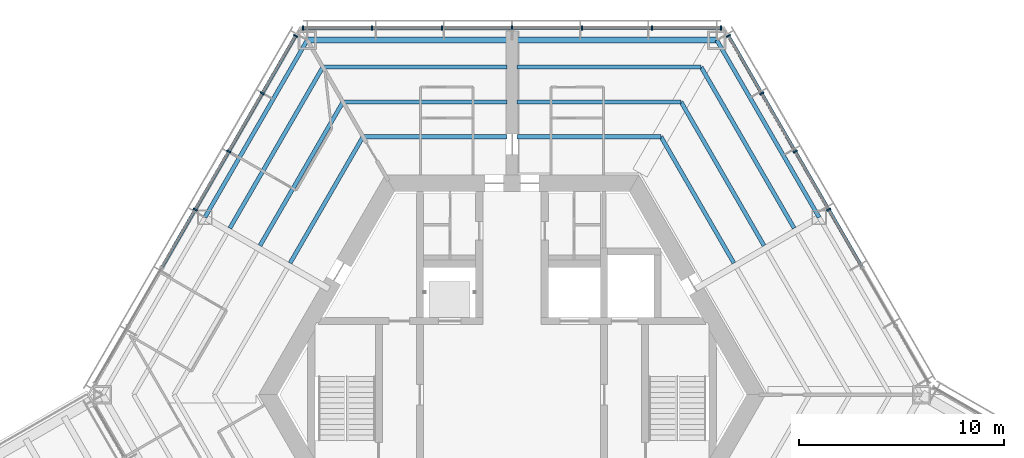
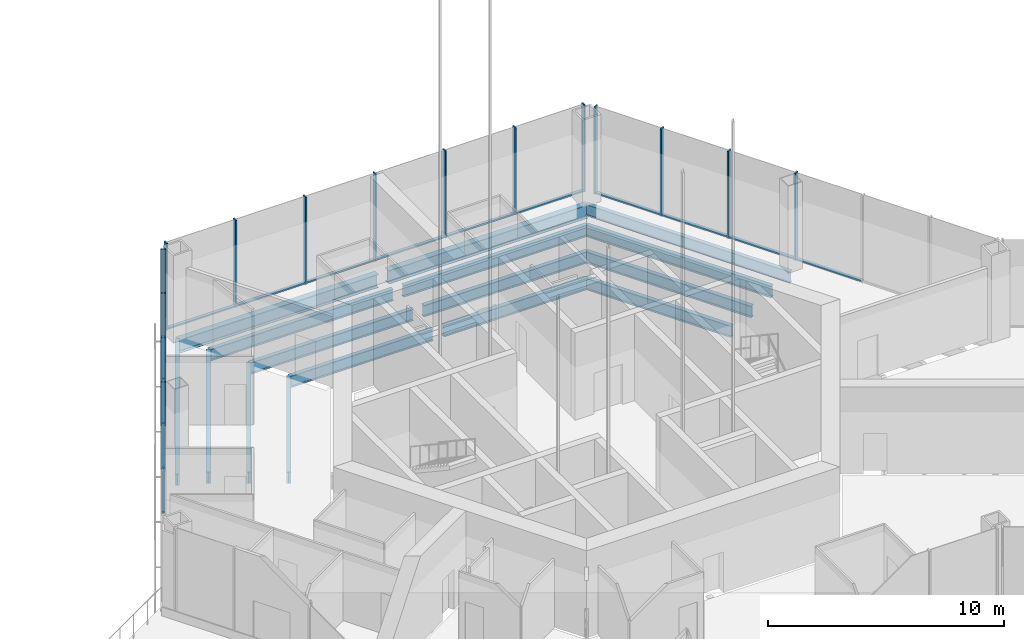
# One storey, part 5 of 17: 29 members, 16 beams, 3 elements without a shape of their own.
"""IFC4 building model written with IfcOpenShell, lengths in metres."""

from ifc_helpers import new_model, si_unit, direction, frame, origin, origin_2d, place, context, subcontext, project, spatial, rectangle, i_section, extrude, material, material_profile, profile_set, type_object, element, aggregate, save


model = new_model("IFC4")

# Units and contexts
model_context = context("Model", 3, precision=1e-05, world=origin(), true_north=direction((0.0, 1.0)))
body_context = subcontext(model_context, "Body", "Model", "MODEL_VIEW")
ifc_project = project(units=[si_unit("LENGTHUNIT", "METRE"), si_unit("AREAUNIT", "SQUARE_METRE"), si_unit("VOLUMEUNIT", "CUBIC_METRE"), si_unit("PLANEANGLEUNIT", "RADIAN"), si_unit("MASSUNIT", "GRAM", prefix="KILO")], contexts=[model_context])

# Site, building, storey
site_placement = place(None, origin())
site = spatial("IfcSite", under=ifc_project, at=site_placement, CompositionType="ELEMENT")
building_placement = place(site_placement, origin())
building = spatial("IfcBuilding", under=site, at=building_placement, Name="Kasaneha Research Tower", CompositionType="ELEMENT")
storey_placement = place(building_placement, frame((0.0, 0.0, 208.300048828125)))
storey = spatial("IfcBuildingStorey", under=building, at=storey_placement, Name="L52", CompositionType="ELEMENT", Elevation=208.300048828125)

# Beams
ifc_material_1 = material(Name="Steel SN490B", Category="steel")
ifc_material_profile_1 = material_profile(ifc_material_1, i_section(OverallWidth=0.199951171875, OverallDepth=0.60009765625, WebThickness=0.010986328125, FlangeThickness=0.01708984375, FilletRadius=0.012939453125, at=origin_2d()), Name="H-600x200x11x17")
ifc_profile_set_1 = profile_set([ifc_material_profile_1], Name="Steel SN490B")
beam_type_1 = type_object("IfcBeamType", Name="B1-4 secondary beam H-600x200x11x17", PredefinedType="JOIST", material=ifc_profile_set_1)
beam_1_placement = place(storey_placement, frame((7.274658203125, 12.60009765625, -0.5), z_axis=(0.499990404686, -0.866030943571, 0.0), x_axis=(0.866030943571, 0.499990404686, 0.0)))
element("IfcBeam", 1, at=beam_1_placement, inside=storey, type_object=beam_type_1, Name="Secondary beam RS030R1 L52", PredefinedType="JOIST", context=body_context, shape_type="SweptSolid", body=[
    extrude(i_section(OverallWidth=0.199951171875, OverallDepth=0.60009765625, WebThickness=0.010986328125, FlangeThickness=0.01708984375, FilletRadius=0.012939453125, at=origin_2d()), origin(), (0.0, 0.0, 1.0), 7.124755859375),
])
beam_2_placement = place(storey_placement, frame((8.256103515625, 14.300048828125, -0.5), z_axis=(0.499984030215, -0.866034623748, 0.0), x_axis=(0.866034623748, 0.499984030215, 0.0)))
element("IfcBeam", 2, at=beam_2_placement, inside=storey, type_object=beam_type_1, Name="Secondary beam RS030R2 L52", PredefinedType="JOIST", context=body_context, shape_type="SweptSolid", body=[
    extrude(i_section(OverallWidth=0.199951171875, OverallDepth=0.60009765625, WebThickness=0.010986328125, FlangeThickness=0.01708984375, FilletRadius=0.012939453125, at=origin_2d()), origin(), (0.0, 0.0, 1.0), 8.106201171875),
])
beam_3_placement = place(storey_placement, frame((9.237548828125, 16.0, -0.5), z_axis=(0.500010814234, -0.866019160093, 0.0), x_axis=(0.866019160093, 0.500010814234, 0.0)))
element("IfcBeam", 3, at=beam_3_placement, inside=storey, type_object=beam_type_1, Name="Secondary beam RS030R3 L52", PredefinedType="JOIST", context=body_context, shape_type="SweptSolid", body=[
    extrude(i_section(OverallWidth=0.199951171875, OverallDepth=0.60009765625, WebThickness=0.010986328125, FlangeThickness=0.01708984375, FilletRadius=0.012939453125, at=origin_2d()), origin(), (0.0, 0.0, 1.0), 9.087646484375),
])
beam_4_placement = place(storey_placement, frame((7.274658203125, 12.60009765625, -0.5), z_axis=(-1.0, 0.0, 0.0), x_axis=(0.0, -1.0, 0.0)))
element("IfcBeam", 4, at=beam_4_placement, inside=storey, type_object=beam_type_1, Name="Secondary beam RS090L1 L52", PredefinedType="JOIST", context=body_context, shape_type="SweptSolid", body=[
    extrude(i_section(OverallWidth=0.199951171875, OverallDepth=0.60009765625, WebThickness=0.010986328125, FlangeThickness=0.01708984375, FilletRadius=0.012939453125, at=origin_2d()), origin(), (0.0, 0.0, 1.0), 7.024658203125),
])
beam_5_placement = place(storey_placement, frame((8.256103515625, 14.300048828125, -0.5), z_axis=(-1.0, 0.0, 0.0), x_axis=(0.0, -1.0, 0.0)))
element("IfcBeam", 5, at=beam_5_placement, inside=storey, type_object=beam_type_1, Name="Secondary beam RS090L2 L52", PredefinedType="JOIST", context=body_context, shape_type="SweptSolid", body=[
    extrude(i_section(OverallWidth=0.199951171875, OverallDepth=0.60009765625, WebThickness=0.010986328125, FlangeThickness=0.01708984375, FilletRadius=0.012939453125, at=origin_2d()), origin(), (0.0, 0.0, 1.0), 8.006103515625),
])
beam_6_placement = place(storey_placement, frame((9.237548828125, 16.0, -0.5), z_axis=(-1.0, 0.0, 0.0), x_axis=(0.0, -1.0, 0.0)))
element("IfcBeam", 6, at=beam_6_placement, inside=storey, type_object=beam_type_1, Name="Secondary beam RS090L3 L52", PredefinedType="JOIST", context=body_context, shape_type="SweptSolid", body=[
    extrude(i_section(OverallWidth=0.199951171875, OverallDepth=0.60009765625, WebThickness=0.010986328125, FlangeThickness=0.01708984375, FilletRadius=0.012939453125, at=origin_2d()), origin(), (0.0, 0.0, 1.0), 8.987548828125),
])
beam_7_placement = place(storey_placement, frame((-7.274658203125, 12.60009765625, -0.5), z_axis=(1.0, 0.0, 0.0), x_axis=(0.0, 1.0, 0.0)))
element("IfcBeam", 7, at=beam_7_placement, inside=storey, type_object=beam_type_1, Name="Secondary beam RS090R1 L52", PredefinedType="JOIST", context=body_context, shape_type="SweptSolid", body=[
    extrude(i_section(OverallWidth=0.199951171875, OverallDepth=0.60009765625, WebThickness=0.010986328125, FlangeThickness=0.01708984375, FilletRadius=0.012939453125, at=origin_2d()), origin(), (0.0, 0.0, 1.0), 7.024658203125),
])
beam_8_placement = place(storey_placement, frame((-8.256103515625, 14.300048828125, -0.5), z_axis=(1.0, 0.0, 0.0), x_axis=(0.0, 1.0, 0.0)))
element("IfcBeam", 8, at=beam_8_placement, inside=storey, type_object=beam_type_1, Name="Secondary beam RS090R2 L52", PredefinedType="JOIST", context=body_context, shape_type="SweptSolid", body=[
    extrude(i_section(OverallWidth=0.199951171875, OverallDepth=0.60009765625, WebThickness=0.010986328125, FlangeThickness=0.01708984375, FilletRadius=0.012939453125, at=origin_2d()), origin(), (0.0, 0.0, 1.0), 8.006103515625),
])
beam_9_placement = place(storey_placement, frame((-9.237548828125, 16.0, -0.5), z_axis=(1.0, 0.0, 0.0), x_axis=(0.0, 1.0, 0.0)))
element("IfcBeam", 9, at=beam_9_placement, inside=storey, type_object=beam_type_1, Name="Secondary beam RS090R3 L52", PredefinedType="JOIST", context=body_context, shape_type="SweptSolid", body=[
    extrude(i_section(OverallWidth=0.199951171875, OverallDepth=0.60009765625, WebThickness=0.010986328125, FlangeThickness=0.01708984375, FilletRadius=0.012939453125, at=origin_2d()), origin(), (0.0, 0.0, 1.0), 8.987548828125),
])
beam_10_placement = place(storey_placement, frame((-7.274658203125, 12.60009765625, -0.5), z_axis=(-0.499990404686, -0.866030943571, 0.0), x_axis=(0.866030943571, -0.499990404686, 0.0)))
element("IfcBeam", 10, at=beam_10_placement, inside=storey, type_object=beam_type_1, Name="Secondary beam RS150L1 L52", PredefinedType="JOIST", context=body_context, shape_type="SweptSolid", body=[
    extrude(i_section(OverallWidth=0.199951171875, OverallDepth=0.60009765625, WebThickness=0.010986328125, FlangeThickness=0.01708984375, FilletRadius=0.012939453125, at=origin_2d()), origin(), (0.0, 0.0, 1.0), 7.124755859375),
])
beam_11_placement = place(storey_placement, frame((-8.256103515625, 14.300048828125, -0.5), z_axis=(-0.499984030215, -0.866034623748, 0.0), x_axis=(0.866034623748, -0.499984030215, 0.0)))
element("IfcBeam", 11, at=beam_11_placement, inside=storey, type_object=beam_type_1, Name="Secondary beam RS150L2 L52", PredefinedType="JOIST", context=body_context, shape_type="SweptSolid", body=[
    extrude(i_section(OverallWidth=0.199951171875, OverallDepth=0.60009765625, WebThickness=0.010986328125, FlangeThickness=0.01708984375, FilletRadius=0.012939453125, at=origin_2d()), origin(), (0.0, 0.0, 1.0), 8.106201171875),
])
beam_12_placement = place(storey_placement, frame((-9.237548828125, 16.0, -0.5), z_axis=(-0.500010814234, -0.866019160093, 0.0), x_axis=(0.866019160093, -0.500010814234, 0.0)))
element("IfcBeam", 12, at=beam_12_placement, inside=storey, type_object=beam_type_1, Name="Secondary beam RS150L3 L52", PredefinedType="JOIST", context=body_context, shape_type="SweptSolid", body=[
    extrude(i_section(OverallWidth=0.199951171875, OverallDepth=0.60009765625, WebThickness=0.010986328125, FlangeThickness=0.01708984375, FilletRadius=0.012939453125, at=origin_2d()), origin(), (0.0, 0.0, 1.0), 9.087646484375),
])

# Curtain wall, members
ifc_material_2 = material(Name="Glass and aluminium", Category="aluminium")
curtain_wall_type = type_object("IfcCurtainWallType", Name="Sky lobby curtain wall", PredefinedType="USERDEFINED", material=ifc_material_2)
curtain_wall_1_placement = place(storey_placement, origin())
curtain_wall_1 = element("IfcCurtainWall", 13, at=curtain_wall_1_placement, inside=storey, type_object=curtain_wall_type, Name="CW-S L52 run 01a", ObjectType="UNITISED CURTAIN WALL", PredefinedType="USERDEFINED")
ifc_material_3 = material(Name="Aluminium 6063-T6", Category="aluminium")
ifc_material_profile_2 = material_profile(ifc_material_3, rectangle(XDim=0.070068359375, YDim=0.219970703125, at=origin_2d()), Name="CW-S mullion 70x220")
ifc_profile_set_2 = profile_set([ifc_material_profile_2], Name="Aluminium 6063-T6")
member_type_1 = type_object("IfcMemberType", Name="CW-S mullion", PredefinedType="MULLION", material=ifc_profile_set_2)
member_1_placement = place(storey_placement, frame((15.47216796875, 9.042236328125, 0.0), z_axis=(0.0, 0.0, 1.0), x_axis=(-0.499999979232, 0.866025415775, 0.0)))
member_1 = element("IfcMember", 14, at=member_1_placement, type_object=member_type_1, Name="CW-S mullion 4", PredefinedType="MULLION", context=body_context, shape_type="SweptSolid", body=[
    extrude(rectangle(XDim=0.070068359375, YDim=0.219970703125, at=origin_2d()), origin(), (0.0, 0.0, 1.0), 4.5),
])
member_2_placement = place(storey_placement, frame((13.833251953125, 11.881103515625, 0.0), z_axis=(0.0, 0.0, 1.0), x_axis=(-0.499999979232, 0.866025415775, 0.0)))
member_2 = element("IfcMember", 15, at=member_2_placement, type_object=member_type_1, Name="CW-S mullion 5", PredefinedType="MULLION", context=body_context, shape_type="SweptSolid", body=[
    extrude(rectangle(XDim=0.070068359375, YDim=0.219970703125, at=origin_2d()), origin(), (0.0, 0.0, 1.0), 4.5),
])
member_3_placement = place(storey_placement, frame((12.1943359375, 14.719970703125, 0.0), z_axis=(0.0, 0.0, 1.0), x_axis=(-0.499999979232, 0.866025415775, 0.0)))
member_3 = element("IfcMember", 16, at=member_3_placement, type_object=member_type_1, Name="CW-S mullion 6", PredefinedType="MULLION", context=body_context, shape_type="SweptSolid", body=[
    extrude(rectangle(XDim=0.070068359375, YDim=0.219970703125, at=origin_2d()), origin(), (0.0, 0.0, 1.0), 4.5),
])
member_4_placement = place(storey_placement, frame((10.57275390625, 17.528564453125, 0.0), z_axis=(0.0, 0.0, 1.0), x_axis=(-0.499999979232, 0.866025415775, 0.0)))
member_4 = element("IfcMember", 17, at=member_4_placement, type_object=member_type_1, Name="CW-S mullion 7", PredefinedType="MULLION", context=body_context, shape_type="SweptSolid", body=[
    extrude(rectangle(XDim=0.070068359375, YDim=0.219970703125, at=origin_2d()), origin(), (0.0, 0.0, 1.0), 4.5),
])

curtain_wall_2_placement = place(storey_placement, origin())
curtain_wall_2 = element("IfcCurtainWall", 18, at=curtain_wall_2_placement, inside=storey, type_object=curtain_wall_type, Name="CW-S L52 run 02a", ObjectType="UNITISED CURTAIN WALL", PredefinedType="USERDEFINED")
member_5_placement = place(storey_placement, frame((10.21142578125, 17.92041015625, 0.0), z_axis=(0.0, 0.0, 1.0), x_axis=(-1.0, 0.0, 0.0)))
member_5 = element("IfcMember", 19, at=member_5_placement, type_object=member_type_1, Name="CW-S mullion 1", PredefinedType="MULLION", context=body_context, shape_type="SweptSolid", body=[
    extrude(rectangle(XDim=0.070068359375, YDim=0.219970703125, at=origin_2d()), origin(), (0.0, 0.0, 1.0), 4.5),
])
member_6_placement = place(storey_placement, frame((6.8310546875, 17.92041015625, 0.0), z_axis=(0.0, 0.0, 1.0), x_axis=(-1.0, 0.0, 0.0)))
member_6 = element("IfcMember", 20, at=member_6_placement, type_object=member_type_1, Name="CW-S mullion 2", PredefinedType="MULLION", context=body_context, shape_type="SweptSolid", body=[
    extrude(rectangle(XDim=0.070068359375, YDim=0.219970703125, at=origin_2d()), origin(), (0.0, 0.0, 1.0), 4.5),
])
member_7_placement = place(storey_placement, frame((3.41552734375, 17.92041015625, 0.0), z_axis=(0.0, 0.0, 1.0), x_axis=(-1.0, 0.0, 0.0)))
member_7 = element("IfcMember", 21, at=member_7_placement, type_object=member_type_1, Name="CW-S mullion 3", PredefinedType="MULLION", context=body_context, shape_type="SweptSolid", body=[
    extrude(rectangle(XDim=0.070068359375, YDim=0.219970703125, at=origin_2d()), origin(), (0.0, 0.0, 1.0), 4.5),
])
member_8_placement = place(storey_placement, frame((0.0, 17.92041015625, 0.0), z_axis=(0.0, 0.0, 1.0), x_axis=(-1.0, 0.0, 0.0)))
member_8 = element("IfcMember", 22, at=member_8_placement, type_object=member_type_1, Name="CW-S mullion 4", PredefinedType="MULLION", context=body_context, shape_type="SweptSolid", body=[
    extrude(rectangle(XDim=0.070068359375, YDim=0.219970703125, at=origin_2d()), origin(), (0.0, 0.0, 1.0), 4.5),
])
member_9_placement = place(storey_placement, frame((-3.41552734375, 17.92041015625, 0.0), z_axis=(0.0, 0.0, 1.0), x_axis=(-1.0, 0.0, 0.0)))
member_9 = element("IfcMember", 23, at=member_9_placement, type_object=member_type_1, Name="CW-S mullion 5", PredefinedType="MULLION", context=body_context, shape_type="SweptSolid", body=[
    extrude(rectangle(XDim=0.070068359375, YDim=0.219970703125, at=origin_2d()), origin(), (0.0, 0.0, 1.0), 4.5),
])
member_10_placement = place(storey_placement, frame((-6.8310546875, 17.92041015625, 0.0), z_axis=(0.0, 0.0, 1.0), x_axis=(-1.0, 0.0, 0.0)))
member_10 = element("IfcMember", 24, at=member_10_placement, type_object=member_type_1, Name="CW-S mullion 6", PredefinedType="MULLION", context=body_context, shape_type="SweptSolid", body=[
    extrude(rectangle(XDim=0.070068359375, YDim=0.219970703125, at=origin_2d()), origin(), (0.0, 0.0, 1.0), 4.5),
])
member_11_placement = place(storey_placement, frame((-10.21142578125, 17.92041015625, 0.0), z_axis=(0.0, 0.0, 1.0), x_axis=(-1.0, 0.0, 0.0)))
member_11 = element("IfcMember", 25, at=member_11_placement, type_object=member_type_1, Name="CW-S mullion 7", PredefinedType="MULLION", context=body_context, shape_type="SweptSolid", body=[
    extrude(rectangle(XDim=0.070068359375, YDim=0.219970703125, at=origin_2d()), origin(), (0.0, 0.0, 1.0), 4.5),
])

curtain_wall_3_placement = place(storey_placement, origin())
curtain_wall_3 = element("IfcCurtainWall", 26, at=curtain_wall_3_placement, inside=storey, type_object=curtain_wall_type, Name="CW-S L52 run 03a", ObjectType="UNITISED CURTAIN WALL", PredefinedType="USERDEFINED")
member_12_placement = place(storey_placement, frame((-10.57275390625, 17.528564453125, 0.0), z_axis=(0.0, 0.0, 1.0), x_axis=(-0.499999995722, -0.866025406254, 0.0)))
member_12 = element("IfcMember", 27, at=member_12_placement, type_object=member_type_1, Name="CW-S mullion 1", PredefinedType="MULLION", context=body_context, shape_type="SweptSolid", body=[
    extrude(rectangle(XDim=0.070068359375, YDim=0.219970703125, at=origin_2d()), origin(), (0.0, 0.0, 1.0), 4.5),
])
member_13_placement = place(storey_placement, frame((-12.194580078125, 14.71923828125, 0.0), z_axis=(0.0, 0.0, 1.0), x_axis=(-0.499999995722, -0.866025406254, 0.0)))
member_13 = element("IfcMember", 28, at=member_13_placement, type_object=member_type_1, Name="CW-S mullion 2", PredefinedType="MULLION", context=body_context, shape_type="SweptSolid", body=[
    extrude(rectangle(XDim=0.070068359375, YDim=0.219970703125, at=origin_2d()), origin(), (0.0, 0.0, 1.0), 4.5),
])
member_14_placement = place(storey_placement, frame((-13.833984375, 11.8798828125, 0.0), z_axis=(0.0, 0.0, 1.0), x_axis=(-0.499999995722, -0.866025406254, 0.0)))
member_14 = element("IfcMember", 29, at=member_14_placement, type_object=member_type_1, Name="CW-S mullion 3", PredefinedType="MULLION", context=body_context, shape_type="SweptSolid", body=[
    extrude(rectangle(XDim=0.070068359375, YDim=0.219970703125, at=origin_2d()), origin(), (0.0, 0.0, 1.0), 4.5),
])
member_15_placement = place(storey_placement, frame((-15.47314453125, 9.04052734375, 0.0), z_axis=(0.0, 0.0, 1.0), x_axis=(-0.499999995722, -0.866025406254, 0.0)))
member_15 = element("IfcMember", 30, at=member_15_placement, type_object=member_type_1, Name="CW-S mullion 4", PredefinedType="MULLION", context=body_context, shape_type="SweptSolid", body=[
    extrude(rectangle(XDim=0.070068359375, YDim=0.219970703125, at=origin_2d()), origin(), (0.0, 0.0, 1.0), 4.5),
])

# Member
ifc_material_4 = material(Name="Aluminium 6063-T6", Category="aluminium")
ifc_material_profile_3 = material_profile(ifc_material_4, rectangle(XDim=0.159912109375, YDim=0.070068359375, at=origin_2d()), Name="CW-S transom 160x70")
ifc_profile_set_3 = profile_set([ifc_material_profile_3], Name="Aluminium 6063-T6")
member_type_2 = type_object("IfcMemberType", Name="CW-S transom", PredefinedType="USERDEFINED", material=ifc_profile_set_3)
member_16_placement = place(storey_placement, frame((17.09375, 6.23388671875, 0.034912109375), z_axis=(-0.500018909665, 0.866014486009, 0.0), x_axis=(-0.866014486009, -0.500018909665, 0.0)))
member_16 = element("IfcMember", 31, at=member_16_placement, type_object=member_type_2, Name="CW-S transom 3", ObjectType="TRANSOM", PredefinedType="USERDEFINED", context=body_context, shape_type="SweptSolid", body=[
    extrude(rectangle(XDim=0.159912109375, YDim=0.070068359375, at=origin_2d()), origin(), (0.0, 0.0, 1.0), 3.2080078125),
])

member_17_placement = place(storey_placement, frame((15.454833984375, 9.072509765625, 0.034912109375), z_axis=(-0.499985955615, 0.866033512162, 0.0), x_axis=(-0.866033512162, -0.499985955615, 0.0)))
member_17 = element("IfcMember", 32, at=member_17_placement, type_object=member_type_2, Name="CW-S transom 4", ObjectType="TRANSOM", PredefinedType="USERDEFINED", context=body_context, shape_type="SweptSolid", body=[
    extrude(rectangle(XDim=0.159912109375, YDim=0.070068359375, at=origin_2d()), origin(), (0.0, 0.0, 1.0), 3.2080078125),
])

member_18_placement = place(storey_placement, frame((13.815673828125, 11.911376953125, 0.034912109375), z_axis=(-0.499985955615, 0.866033512162, 0.0), x_axis=(-0.866033512162, -0.499985955615, 0.0)))
member_18 = element("IfcMember", 33, at=member_18_placement, type_object=member_type_2, Name="CW-S transom 5", ObjectType="TRANSOM", PredefinedType="USERDEFINED", context=body_context, shape_type="SweptSolid", body=[
    extrude(rectangle(XDim=0.159912109375, YDim=0.070068359375, at=origin_2d()), origin(), (0.0, 0.0, 1.0), 3.2080078125),
])

member_19_placement = place(storey_placement, frame((12.1767578125, 14.750244140625, 0.034912109375), z_axis=(-0.499995540215, 0.866027978627, 0.0), x_axis=(-0.866027978627, -0.499995540215, 0.0)))
member_19 = element("IfcMember", 34, at=member_19_placement, type_object=member_type_2, Name="CW-S transom 6", ObjectType="TRANSOM", PredefinedType="USERDEFINED", context=body_context, shape_type="SweptSolid", body=[
    extrude(rectangle(XDim=0.159912109375, YDim=0.070068359375, at=origin_2d()), origin(), (0.0, 0.0, 1.0), 3.1728515625),
])

aggregate(curtain_wall_1, [member_1, member_2, member_3, member_4, member_16, member_17, member_18, member_19])

member_20_placement = place(storey_placement, frame((10.176513671875, 17.92041015625, 0.034912109375), z_axis=(-1.0, 0.0, 0.0), x_axis=(0.0, -1.0, 0.0)))
member_20 = element("IfcMember", 35, at=member_20_placement, type_object=member_type_2, Name="CW-S transom 1", ObjectType="TRANSOM", PredefinedType="USERDEFINED", context=body_context, shape_type="SweptSolid", body=[
    extrude(rectangle(XDim=0.159912109375, YDim=0.070068359375, at=origin_2d()), origin(), (0.0, 0.0, 1.0), 3.310546875),
])

member_21_placement = place(storey_placement, frame((6.7958984375, 17.92041015625, 0.034912109375), z_axis=(-1.0, 0.0, 0.0), x_axis=(0.0, -1.0, 0.0)))
member_21 = element("IfcMember", 36, at=member_21_placement, type_object=member_type_2, Name="CW-S transom 2", ObjectType="TRANSOM", PredefinedType="USERDEFINED", context=body_context, shape_type="SweptSolid", body=[
    extrude(rectangle(XDim=0.159912109375, YDim=0.070068359375, at=origin_2d()), origin(), (0.0, 0.0, 1.0), 3.345458984375),
])

member_22_placement = place(storey_placement, frame((3.38037109375, 17.92041015625, 0.034912109375), z_axis=(-1.0, 0.0, 0.0), x_axis=(0.0, -1.0, 0.0)))
member_22 = element("IfcMember", 37, at=member_22_placement, type_object=member_type_2, Name="CW-S transom 3", ObjectType="TRANSOM", PredefinedType="USERDEFINED", context=body_context, shape_type="SweptSolid", body=[
    extrude(rectangle(XDim=0.159912109375, YDim=0.070068359375, at=origin_2d()), origin(), (0.0, 0.0, 1.0), 3.345458984375),
])

member_23_placement = place(storey_placement, frame((-0.034912109375, 17.92041015625, 0.034912109375), z_axis=(-1.0, 0.0, 0.0), x_axis=(0.0, -1.0, 0.0)))
member_23 = element("IfcMember", 38, at=member_23_placement, type_object=member_type_2, Name="CW-S transom 4", ObjectType="TRANSOM", PredefinedType="USERDEFINED", context=body_context, shape_type="SweptSolid", body=[
    extrude(rectangle(XDim=0.159912109375, YDim=0.070068359375, at=origin_2d()), origin(), (0.0, 0.0, 1.0), 3.345458984375),
])

member_24_placement = place(storey_placement, frame((-3.450439453125, 17.92041015625, 0.034912109375), z_axis=(-1.0, 0.0, 0.0), x_axis=(0.0, -1.0, 0.0)))
member_24 = element("IfcMember", 39, at=member_24_placement, type_object=member_type_2, Name="CW-S transom 5", ObjectType="TRANSOM", PredefinedType="USERDEFINED", context=body_context, shape_type="SweptSolid", body=[
    extrude(rectangle(XDim=0.159912109375, YDim=0.070068359375, at=origin_2d()), origin(), (0.0, 0.0, 1.0), 3.345458984375),
])

member_25_placement = place(storey_placement, frame((-6.865966796875, 17.92041015625, 0.034912109375), z_axis=(-1.0, 0.0, 0.0), x_axis=(0.0, -1.0, 0.0)))
member_25 = element("IfcMember", 40, at=member_25_placement, type_object=member_type_2, Name="CW-S transom 6", ObjectType="TRANSOM", PredefinedType="USERDEFINED", context=body_context, shape_type="SweptSolid", body=[
    extrude(rectangle(XDim=0.159912109375, YDim=0.070068359375, at=origin_2d()), origin(), (0.0, 0.0, 1.0), 3.310546875),
])

aggregate(curtain_wall_2, [member_5, member_6, member_7, member_8, member_9, member_10, member_11, member_20, member_21, member_22, member_23, member_24, member_25])

member_26_placement = place(storey_placement, frame((-10.59033203125, 17.498046875, 0.034912109375), z_axis=(-0.499986614762, -0.866033131617, 0.0), x_axis=(0.866033131617, -0.499986614762, 0.0)))
member_26 = element("IfcMember", 41, at=member_26_placement, type_object=member_type_2, Name="CW-S transom 1", ObjectType="TRANSOM", PredefinedType="USERDEFINED", context=body_context, shape_type="SweptSolid", body=[
    extrude(rectangle(XDim=0.159912109375, YDim=0.070068359375, at=origin_2d()), origin(), (0.0, 0.0, 1.0), 3.17333984375),
])

member_27_placement = place(storey_placement, frame((-12.212158203125, 14.68896484375, 0.034912109375), z_axis=(-0.4999771297, -0.866038607556, 0.0), x_axis=(0.866038607556, -0.4999771297, 0.0)))
member_27 = element("IfcMember", 42, at=member_27_placement, type_object=member_type_2, Name="CW-S transom 2", ObjectType="TRANSOM", PredefinedType="USERDEFINED", context=body_context, shape_type="SweptSolid", body=[
    extrude(rectangle(XDim=0.159912109375, YDim=0.070068359375, at=origin_2d()), origin(), (0.0, 0.0, 1.0), 3.208740234375),
])

member_28_placement = place(storey_placement, frame((-13.851318359375, 11.849609375, 0.034912109375), z_axis=(-0.500034194513, -0.866005660673, 0.0), x_axis=(0.866005660673, -0.500034194513, 0.0)))
member_28 = element("IfcMember", 43, at=member_28_placement, type_object=member_type_2, Name="CW-S transom 3", ObjectType="TRANSOM", PredefinedType="USERDEFINED", context=body_context, shape_type="SweptSolid", body=[
    extrude(rectangle(XDim=0.159912109375, YDim=0.070068359375, at=origin_2d()), origin(), (0.0, 0.0, 1.0), 3.208740234375),
])

member_29_placement = place(storey_placement, frame((-15.49072265625, 9.01025390625, 0.034912109375), z_axis=(-0.500034194513, -0.866005660673, 0.0), x_axis=(0.866005660673, -0.500034194513, 0.0)))
member_29 = element("IfcMember", 44, at=member_29_placement, type_object=member_type_2, Name="CW-S transom 4", ObjectType="TRANSOM", PredefinedType="USERDEFINED", context=body_context, shape_type="SweptSolid", body=[
    extrude(rectangle(XDim=0.159912109375, YDim=0.070068359375, at=origin_2d()), origin(), (0.0, 0.0, 1.0), 3.208740234375),
])

aggregate(curtain_wall_3, [member_12, member_13, member_14, member_15, member_26, member_27, member_28, member_29])

# Beams
ifc_material_5 = material(Name="Steel SN490B", Category="steel")
ifc_material_profile_4 = material_profile(ifc_material_5, i_section(OverallWidth=0.300048828125, OverallDepth=0.69189453125, WebThickness=0.012939453125, FlangeThickness=0.02001953125, FilletRadius=0.01806640625, at=origin_2d()), Name="H-692x300x13x20")
ifc_profile_set_4 = profile_set([ifc_material_profile_4], Name="Steel SN490B")
beam_type_2 = type_object("IfcBeamType", Name="G3-4 plate edge girder H-692x300x13x20", PredefinedType="BEAM", material=ifc_profile_set_4)
for number, where, z_axis, x_axis, name in (
    (45, (10.0, 17.320556640625, -0.546142578125), (-1.0, 0.0, 0.0), (0.0, -1.0, 0.0), "Plate edge girder PEAP L52"),
    (46, (-10.0, 17.320556640625, -0.546142578125), (1.0, 0.0, 0.0), (0.0, 1.0, 0.0), "Plate edge girder PEAN L52"),
):
    element("IfcBeam", number, at=place(storey_placement, frame(where, z_axis=z_axis, x_axis=x_axis)), inside=storey, type_object=beam_type_2, Name=name, PredefinedType="BEAM", context=body_context, shape_type="SweptSolid", body=[
        extrude(i_section(OverallWidth=0.300048828125, OverallDepth=0.69189453125, WebThickness=0.012939453125, FlangeThickness=0.02001953125, FilletRadius=0.01806640625, at=origin_2d()), origin(), (0.0, 0.0, 1.0), 9.75),
    ])
ifc_material_6 = material(Name="Steel SN490B", Category="steel")
ifc_material_profile_5 = material_profile(ifc_material_6, i_section(OverallWidth=0.198974609375, OverallDepth=0.595947265625, WebThickness=0.010009765625, FlangeThickness=0.014892578125, FilletRadius=0.012939453125, at=origin_2d()), Name="H-596x199x10x15")
ifc_profile_set_5 = profile_set([ifc_material_profile_5], Name="Steel SN490B")
beam_type_3 = type_object("IfcBeamType", Name="SB1-4 spandrel beam H-596x199x10x15", PredefinedType="SPANDREL", material=ifc_profile_set_5)
for number, where, z_axis, x_axis, name in (
    (47, (10.0, 17.320556640625, -0.498046875), (0.499993662806, -0.866029062534, 0.0), (0.866029062534, 0.499993662806, 0.0), "Spandrel beam SR030R L52"),
    (48, (-10.0, 17.320556640625, -0.498046875), (-0.499993662806, -0.866029062534, 0.0), (0.866029062534, -0.499993662806, 0.0), "Spandrel beam SR150L L52"),
):
    element("IfcBeam", number, at=place(storey_placement, frame(where, z_axis=z_axis, x_axis=x_axis)), inside=storey, type_object=beam_type_3, Name=name, PredefinedType="SPANDREL", context=body_context, shape_type="SweptSolid", body=[
        extrude(i_section(OverallWidth=0.198974609375, OverallDepth=0.595947265625, WebThickness=0.010009765625, FlangeThickness=0.014892578125, FilletRadius=0.012939453125, at=origin_2d()), origin(), (0.0, 0.0, 1.0), 10.000244140625),
    ])

save(model, "model.ifc")
